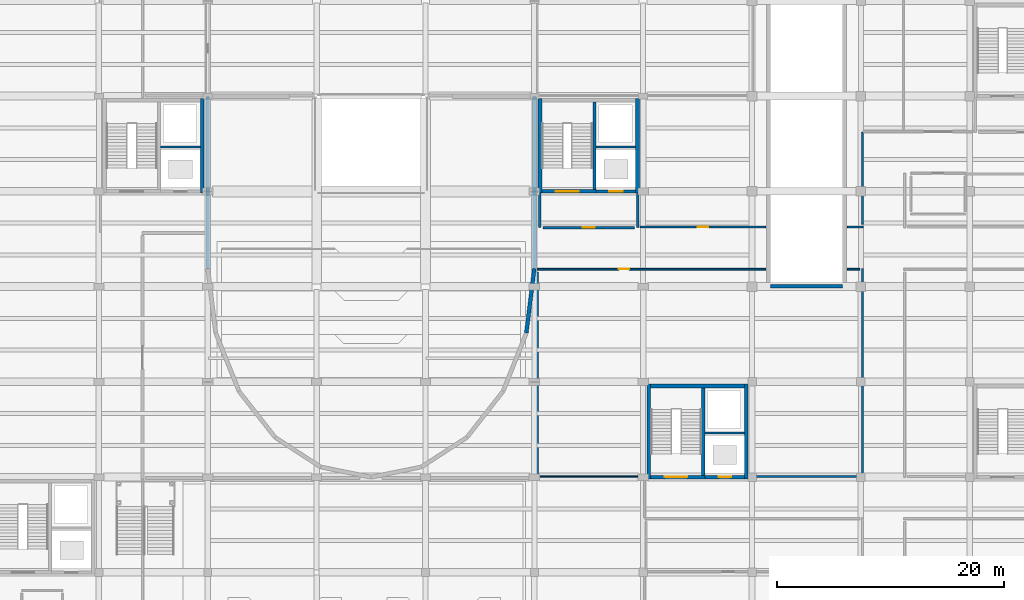
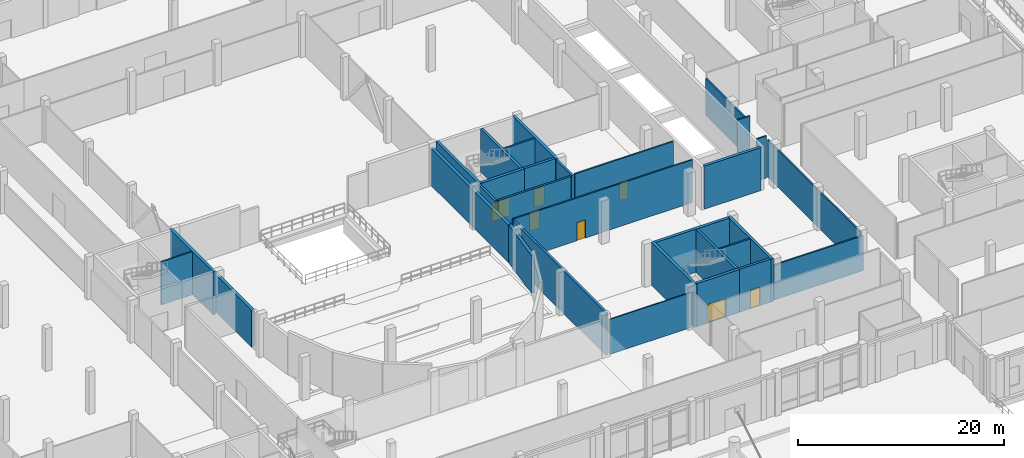
# One storey, part 53 of 71: 31 walls, 7 doors, 7 openings.
"""IFC4 building model written with IfcOpenShell, lengths in metres."""

from ifc_helpers import new_model, si_unit, direction, frame, frame_2d, origin, place, context, subcontext, project, spatial, rectangle, extrude, material, layer, layer_set, type_object, element, fill, save


model = new_model("IFC4")

# Units and contexts
model_context = context("Model", 3, precision=1e-05, world=origin(), true_north=direction((0.0, 1.0)))
body_context = subcontext(model_context, "Body", "Model", "MODEL_VIEW")
ifc_project = project(units=[si_unit("LENGTHUNIT", "METRE"), si_unit("AREAUNIT", "SQUARE_METRE"), si_unit("VOLUMEUNIT", "CUBIC_METRE"), si_unit("PLANEANGLEUNIT", "RADIAN"), si_unit("MASSUNIT", "GRAM", prefix="KILO")], contexts=[model_context])

# Site, building, storey
site_placement = place(None, origin())
site = spatial("IfcSite", under=ifc_project, at=site_placement, CompositionType="ELEMENT")
building_placement = place(site_placement, origin())
building = spatial("IfcBuilding", under=site, at=building_placement, Name="Lornevale Opera House", CompositionType="ELEMENT")
storey_placement = place(building_placement, origin())
storey = spatial("IfcBuildingStorey", under=building, at=storey_placement, Name="L01", CompositionType="ELEMENT", Elevation=0.0)

# Wall
ifc_material_1 = material(Name="Acoustic Mineral-Core Gypsum Partition", Category="gypsum")
ifc_layer_1 = layer(ifc_material_1, 0.25)
ifc_layer_set_1 = layer_set([ifc_layer_1], Name="Acoustic Mineral-Core Gypsum Partition")
wall_type_1 = type_object("IfcWallType", Name="Auditorium Box-in-Box Liner 250", PredefinedType="SOLIDWALL", material=ifc_layer_set_1)
wall_1_placement = place(storey_placement, frame((96.260009765625, 33.60009765625, 0.0), z_axis=(0.0, 0.0, 1.0), x_axis=(0.0, 1.0, 0.0)))
element("IfcWall", 1, at=wall_1_placement, inside=storey, type_object=wall_type_1, Name="L01 Partition WL-INT-0729", PredefinedType="SOLIDWALL", context=body_context, shape_type="SweptSolid", body=[
    extrude(rectangle(XDim=18.08984375, YDim=0.25, at=frame_2d((9.044921875, 0.0))), origin(), (0.0, 0.0, 1.0), 5.070068359375),
])

# Wall, opening, door
ifc_material_2 = material(Name="Concrete 40 MPa (CSA A23.1 C-1)", Category="concrete")
ifc_layer_2 = layer(ifc_material_2, 0.320068359375)
ifc_layer_set_2 = layer_set([ifc_layer_2], Name="Concrete 40 MPa (CSA A23.1 C-1)")
wall_type_2 = type_object("IfcWallType", Name="Core Shear Wall 320", PredefinedType="SHEAR", material=ifc_layer_set_2)
wall_2_placement = place(storey_placement, frame((106.260009765625, 33.60009765625, 0.0), z_axis=(0.0, 0.0, 1.0), x_axis=(1.0, 0.0, 0.0)))
wall_2 = element("IfcWall", 2, at=wall_2_placement, inside=storey, type_object=wall_type_2, Name="South-East Foyer Core Core Shear Wall 320 WL-COR-0050", PredefinedType="SHEAR", context=body_context, shape_type="SweptSolid", body=[
    extrude(rectangle(XDim=4.780029296875, YDim=0.320068359375, at=frame_2d((2.39013671875, 0.0))), origin(), (0.0, 0.0, 1.0), 5.10009765625),
])
opening_1_placement = place(wall_2_placement, frame((1.239990234375, 0.0, 0.0)))
opening_1 = element("IfcOpeningElement", 3, at=opening_1_placement, cuts=wall_2, Name="Opening DR-T12", PredefinedType="OPENING", context=body_context, shape_type="SweptSolid", body=[
    extrude(rectangle(XDim=2.0, YDim=2.199951171875, at=frame_2d((1.0, 1.10009765625))), frame((0.0, 0.169921875, 0.0), z_axis=(0.0, -1.0, 0.0), x_axis=(1.0, 0.0, 0.0)), (0.0, 0.0, 1.0), 0.340087890625),
])
ifc_material_3 = material(Name="Painted Hollow Metal Door Steel", Category="steel")
ifc_layer_3 = layer(ifc_material_3, 2.199951171875)
ifc_layer_set_3 = layer_set([ifc_layer_3], Name="Painted Hollow Metal Door Steel")
door_type_1 = type_object("IfcDoorType", Name="Exit Stair Discharge Pair 2000x2200", OperationType="NOTDEFINED", PredefinedType="DOOR", material=ifc_layer_set_3)
door_1_placement = place(opening_1_placement, origin())
door_1 = element("IfcDoor", 4, at=door_1_placement, inside=storey, type_object=door_type_1, Name="C2 Stair Door L01", OperationType="DOUBLE_SWING_LEFT", OverallHeight=2.199951171875, OverallWidth=2.0, PredefinedType="DOOR", context=body_context, shape_type="SweptSolid", body=[
    extrude(rectangle(XDim=2.0, YDim=2.199951171875, at=frame_2d((1.0, 1.10009765625))), frame((0.0, 0.02490234375, 0.0), z_axis=(0.0, -1.0, 0.0), x_axis=(1.0, 0.0, 0.0)), (0.0, 0.0, 1.0), 0.050048828125),
])
fill(opening_1, door_1)

# Walls
wall_3_placement = place(storey_placement, frame((114.5400390625, 41.639892578125, 0.0), z_axis=(0.0, 0.0, 1.0), x_axis=(-1.0, 0.0, 0.0)))
element("IfcWall", 5, at=wall_3_placement, inside=storey, type_object=wall_type_2, Name="South-East Foyer Core Core Shear Wall 320 WL-COR-0052", PredefinedType="SHEAR", context=body_context, shape_type="SweptSolid", body=[
    extrude(rectangle(XDim=8.280029296875, YDim=0.320068359375, at=frame_2d((4.14013671875, 0.0))), origin(), (0.0, 0.0, 1.0), 5.10009765625),
])
for number, where, z_axis, x_axis, name in (
    (6, (106.10009765625, 41.800048828125, 0.0), (0.0, 0.0, 1.0), (0.0, -1.0, 0.0), "South-East Foyer Core Core Shear Wall 320 WL-COR-0053"),
    (7, (114.699951171875, 33.43994140625, 0.0), (0.0, 0.0, 1.0), (0.0, 1.0, 0.0), "South-East Foyer Core Core Shear Wall 320 WL-COR-0054"),
    (8, (66.699951171875, 58.639892578125, 0.0), (0.0, 0.0, 1.0), (0.0, 1.0, 0.0), "Auditorium West Tier Core Core Shear Wall 320 WL-COR-0166"),
):
    element("IfcWall", number, at=place(storey_placement, frame(where, z_axis=z_axis, x_axis=x_axis)), inside=storey, type_object=wall_type_2, Name=name, PredefinedType="SHEAR", context=body_context, shape_type="SweptSolid", body=[
        extrude(rectangle(XDim=8.360107421875, YDim=0.320068359375, at=frame_2d((4.18017578125, 0.0))), origin(), (0.0, 0.0, 1.0), 5.10009765625),
    ])

# Wall, opening, door
wall_4_placement = place(storey_placement, frame((96.659912109375, 58.800048828125, 0.0), z_axis=(0.0, 0.0, 1.0), x_axis=(1.0, 0.0, 0.0)))
wall_4 = element("IfcWall", 9, at=wall_4_placement, inside=storey, type_object=wall_type_2, Name="Stagehouse Firefighter Core West Core Shear Wall 320 WL-COR-0211", PredefinedType="SHEAR", context=body_context, shape_type="SweptSolid", body=[
    extrude(rectangle(XDim=4.780029296875, YDim=0.320068359375, at=frame_2d((2.39013671875, 0.0))), origin(), (0.0, 0.0, 1.0), 5.10009765625),
])
opening_2_placement = place(wall_4_placement, frame((1.239990234375, 0.0, 0.0)))
opening_2 = element("IfcOpeningElement", 10, at=opening_2_placement, cuts=wall_4, Name="Opening DR-T12", PredefinedType="OPENING", context=body_context, shape_type="SweptSolid", body=[
    extrude(rectangle(XDim=2.0, YDim=2.199951171875, at=frame_2d((1.0, 1.10009765625))), frame((0.0, 0.169921875, 0.0), z_axis=(0.0, -1.0, 0.0), x_axis=(1.0, 0.0, 0.0)), (0.0, 0.0, 1.0), 0.340087890625),
])
door_2_placement = place(opening_2_placement, origin())
door_2 = element("IfcDoor", 11, at=door_2_placement, inside=storey, type_object=door_type_1, Name="C6 Stair Door L01", OperationType="DOUBLE_SWING_LEFT", OverallHeight=2.199951171875, OverallWidth=2.0, PredefinedType="DOOR", context=body_context, shape_type="SweptSolid", body=[
    extrude(rectangle(XDim=2.0, YDim=2.199951171875, at=frame_2d((1.0, 1.10009765625))), frame((0.0, 0.02490234375, 0.0), z_axis=(0.0, -1.0, 0.0), x_axis=(1.0, 0.0, 0.0)), (0.0, 0.0, 1.0), 0.050048828125),
])
fill(opening_2, door_2)

# Walls
for number, where, z_axis, x_axis, name in (
    (12, (96.5, 67.0, 0.0), (0.0, 0.0, 1.0), (0.0, -1.0, 0.0), "Stagehouse Firefighter Core West Core Shear Wall 320 WL-COR-0214"),
    (13, (105.10009765625, 58.639892578125, 0.0), (0.0, 0.0, 1.0), (0.0, 1.0, 0.0), "Stagehouse Firefighter Core West Core Shear Wall 320 WL-COR-0215"),
):
    element("IfcWall", number, at=place(storey_placement, frame(where, z_axis=z_axis, x_axis=x_axis)), inside=storey, type_object=wall_type_2, Name=name, PredefinedType="SHEAR", context=body_context, shape_type="SweptSolid", body=[
        extrude(rectangle(XDim=8.360107421875, YDim=0.320068359375, at=frame_2d((4.18017578125, 0.0))), origin(), (0.0, 0.0, 1.0), 5.10009765625),
    ])
wall_5_placement = place(storey_placement, frame((116.820068359375, 50.449951171875, 0.0), z_axis=(0.0, 0.0, 1.0), x_axis=(1.0, 0.0, 0.0)))
element("IfcWall", 14, at=wall_5_placement, inside=storey, type_object=wall_type_2, Name="Vehicle Ramp Headwall L01 0365", PredefinedType="SHEAR", context=body_context, shape_type="SweptSolid", body=[
    extrude(rectangle(XDim=6.35986328125, YDim=0.320068359375, at=frame_2d((3.179931640625, 0.0))), origin(), (0.0, 0.0, 1.0), 5.10009765625),
])
ifc_layer_4 = layer(ifc_material_1, 0.1650390625)
ifc_layer_set_4 = layer_set([ifc_layer_4], Name="Acoustic Mineral-Core Gypsum Partition")
wall_type_3 = type_object("IfcWallType", Name="Corridor Rated Partition 165", PredefinedType="PARTITIONING", material=ifc_layer_set_4)
wall_6_placement = place(storey_placement, frame((114.949951171875, 33.659912109375, 0.0), z_axis=(0.0, 0.0, 1.0), x_axis=(1.0, 0.0, 0.0)))
element("IfcWall", 15, at=wall_6_placement, inside=storey, type_object=wall_type_3, Name="L01 Partition WL-INT-0701", PredefinedType="PARTITIONING", context=body_context, shape_type="SweptSolid", body=[
    extrude(rectangle(XDim=10.050048828125, YDim=0.1650390625, at=frame_2d((5.02490234375, 0.0))), origin(), (0.0, 0.0, 1.0), 4.14990234375),
])
wall_7_placement = place(storey_placement, frame((124.93994140625, 33.909912109375, 0.0), z_axis=(0.0, 0.0, 1.0), x_axis=(0.0, 1.0, 0.0)))
element("IfcWall", 16, at=wall_7_placement, inside=storey, type_object=wall_type_3, Name="L01 Partition WL-INT-0702", PredefinedType="PARTITIONING", context=body_context, shape_type="SweptSolid", body=[
    extrude(rectangle(XDim=18.090087890625, YDim=0.1650390625, at=frame_2d((9.044921875, 0.0))), origin(), (0.0, 0.0, 1.0), 4.39990234375),
])
wall_8_placement = place(storey_placement, frame((123.60009765625, 51.93994140625, 0.0), z_axis=(0.0, 0.0, 1.0), x_axis=(1.0, 0.0, 0.0)))
element("IfcWall", 17, at=wall_8_placement, inside=storey, type_object=wall_type_3, Name="L01 Partition WL-INT-0703", PredefinedType="PARTITIONING", context=body_context, shape_type="SweptSolid", body=[
    extrude(rectangle(XDim=1.08984375, YDim=0.1650390625, at=frame_2d((0.544921875, 0.0))), origin(), (0.0, 0.0, 1.0), 4.989990234375),
])
wall_9_placement = place(storey_placement, frame((123.60009765625, 55.659912109375, 0.0), z_axis=(0.0, 0.0, 1.0), x_axis=(1.0, 0.0, 0.0)))
element("IfcWall", 18, at=wall_9_placement, inside=storey, type_object=wall_type_3, Name="L01 Partition WL-INT-0705", PredefinedType="PARTITIONING", context=body_context, shape_type="SweptSolid", body=[
    extrude(rectangle(XDim=1.39990234375, YDim=0.1650390625, at=frame_2d((0.699951171875, 0.0))), origin(), (0.0, 0.0, 1.0), 4.989990234375),
])
wall_10_placement = place(storey_placement, frame((124.93994140625, 55.909912109375, 0.0), z_axis=(0.0, 0.0, 1.0), x_axis=(0.0, 1.0, 0.0)))
element("IfcWall", 19, at=wall_10_placement, inside=storey, type_object=wall_type_3, Name="L01 Partition WL-INT-0706", PredefinedType="PARTITIONING", context=body_context, shape_type="SweptSolid", body=[
    extrude(rectangle(XDim=8.090087890625, YDim=0.1650390625, at=frame_2d((4.044921875, 0.0))), origin(), (0.0, 0.0, 1.0), 4.39990234375),
])

# Wall, opening, door
wall_11_placement = place(storey_placement, frame((96.243896484375, 51.93994140625, 0.0), z_axis=(0.0, 0.0, 1.0), x_axis=(1.0, 0.0, 0.0)))
wall_11 = element("IfcWall", 20, at=wall_11_placement, inside=storey, type_object=wall_type_3, Name="L01 Partition WL-INT-0722", PredefinedType="PARTITIONING", context=body_context, shape_type="SweptSolid", body=[
    extrude(rectangle(XDim=20.156005859375, YDim=0.1650390625, at=frame_2d((10.078125, 0.0))), origin(), (0.0, 0.0, 1.0), 5.070068359375),
])
opening_3_placement = place(wall_11_placement, frame((7.18408203125, 0.0, 0.0)))
opening_3 = element("IfcOpeningElement", 21, at=opening_3_placement, cuts=wall_11, Name="Opening DR-T19", PredefinedType="OPENING", context=body_context, shape_type="SweptSolid", body=[
    extrude(rectangle(XDim=0.949951171875, YDim=2.14990234375, at=frame_2d((0.47509765625, 1.074951171875))), frame((0.0, 0.092529296875, 0.0), z_axis=(0.0, -1.0, 0.0), x_axis=(1.0, 0.0, 0.0)), (0.0, 0.0, 1.0), 0.18505859375),
])
ifc_material_4 = material(Name="White Oak Acoustic Panelling", Category="wood")
ifc_layer_5 = layer(ifc_material_4, 2.14990234375)
ifc_layer_set_5 = layer_set([ifc_layer_5], Name="White Oak Acoustic Panelling")
door_type_2 = type_object("IfcDoorType", Name="Soloist Dressing Door L 950x2150", OperationType="NOTDEFINED", PredefinedType="DOOR", material=ifc_layer_set_5)
door_3_placement = place(opening_3_placement, origin())
door_3 = element("IfcDoor", 22, at=door_3_placement, inside=storey, type_object=door_type_2, Name="Winter-Garden Exhibition Foyer Door", OperationType="SINGLE_SWING_LEFT", OverallHeight=2.14990234375, OverallWidth=0.949951171875, PredefinedType="DOOR", context=body_context, shape_type="SweptSolid", body=[
    extrude(rectangle(XDim=0.949951171875, YDim=2.14990234375, at=frame_2d((0.47509765625, 1.074951171875))), frame((0.0, 0.02490234375, 0.0), z_axis=(0.0, -1.0, 0.0), x_axis=(1.0, 0.0, 0.0)), (0.0, 0.0, 1.0), 0.050048828125),
])
fill(opening_3, door_3)

wall_12_placement = place(storey_placement, frame((105.35009765625, 55.659912109375, 0.0), z_axis=(0.0, 0.0, 1.0), x_axis=(1.0, 0.0, 0.0)))
wall_12 = element("IfcWall", 23, at=wall_12_placement, inside=storey, type_object=wall_type_3, Name="L01 Partition WL-INT-0723", PredefinedType="PARTITIONING", context=body_context, shape_type="SweptSolid", body=[
    extrude(rectangle(XDim=11.0498046875, YDim=0.1650390625, at=frame_2d((5.52490234375, 0.0))), origin(), (0.0, 0.0, 1.0), 4.989990234375),
])
opening_4_placement = place(wall_12_placement, frame((5.050048828125, 0.0, 0.0)))
opening_4 = element("IfcOpeningElement", 24, at=opening_4_placement, cuts=wall_12, Name="Opening DR-T20", PredefinedType="OPENING", context=body_context, shape_type="SweptSolid", body=[
    extrude(rectangle(XDim=0.949951171875, YDim=2.14990234375, at=frame_2d((0.47509765625, 1.074951171875))), frame((0.0, 0.092529296875, 0.0), z_axis=(0.0, -1.0, 0.0), x_axis=(1.0, 0.0, 0.0)), (0.0, 0.0, 1.0), 0.18505859375),
])
ifc_layer_6 = layer(ifc_material_4, 2.14990234375)
ifc_layer_set_6 = layer_set([ifc_layer_6], Name="White Oak Acoustic Panelling")
door_type_3 = type_object("IfcDoorType", Name="Soloist Dressing Door R 950x2150", OperationType="NOTDEFINED", PredefinedType="DOOR", material=ifc_layer_set_6)
door_4_placement = place(opening_4_placement, origin())
door_4 = element("IfcDoor", 25, at=door_4_placement, inside=storey, type_object=door_type_3, Name="Winter-Garden Exhibition Foyer Door", OperationType="SINGLE_SWING_RIGHT", OverallHeight=2.14990234375, OverallWidth=0.949951171875, PredefinedType="DOOR", context=body_context, shape_type="SweptSolid", body=[
    extrude(rectangle(XDim=0.949951171875, YDim=2.14990234375, at=frame_2d((0.47509765625, 1.074951171875))), frame((0.0, 0.02490234375, 0.0), z_axis=(0.0, -1.0, 0.0), x_axis=(1.0, 0.0, 0.0)), (0.0, 0.0, 1.0), 0.050048828125),
])
fill(opening_4, door_4)

# Wall
ifc_layer_7 = layer(ifc_material_1, 0.125)
ifc_layer_set_7 = layer_set([ifc_layer_7], Name="Acoustic Mineral-Core Gypsum Partition")
wall_type_4 = type_object("IfcWallType", Name="Dressing Suite Partition 125", PredefinedType="PARTITIONING", material=ifc_layer_set_7)
wall_13_placement = place(storey_placement, frame((96.510009765625, 33.659912109375, 0.0), z_axis=(0.0, 0.0, 1.0), x_axis=(1.0, 0.0, 0.0)))
element("IfcWall", 26, at=wall_13_placement, inside=storey, type_object=wall_type_4, Name="L01 Partition WL-INT-0743", PredefinedType="PARTITIONING", context=body_context, shape_type="SweptSolid", body=[
    extrude(rectangle(XDim=9.22998046875, YDim=0.125, at=frame_2d((4.614990234375, 0.0))), origin(), (0.0, 0.0, 1.0), 4.14990234375),
])

# Wall, opening, door
ifc_layer_8 = layer(ifc_material_2, 0.280029296875)
ifc_layer_set_8 = layer_set([ifc_layer_8], Name="Concrete 40 MPa (CSA A23.1 C-1)")
wall_type_5 = type_object("IfcWallType", Name="Elevator Shaft Wall 280", PredefinedType="SHEAR", material=ifc_layer_set_8)
wall_14_placement = place(storey_placement, frame((111.0400390625, 33.60009765625, 0.0), z_axis=(0.0, 0.0, 1.0), x_axis=(1.0, 0.0, 0.0)))
wall_14 = element("IfcWall", 27, at=wall_14_placement, inside=storey, type_object=wall_type_5, Name="South-East Foyer Core Elevator Shaft Wall 280 WL-COR-0051", PredefinedType="SHEAR", context=body_context, shape_type="SweptSolid", body=[
    extrude(rectangle(XDim=3.5, YDim=0.280029296875, at=frame_2d((1.75, 0.0))), origin(), (0.0, 0.0, 1.0), 5.10009765625),
])
opening_5_placement = place(wall_14_placement, frame((1.2099609375, 0.0, 0.0)))
opening_5 = element("IfcOpeningElement", 28, at=opening_5_placement, cuts=wall_14, Name="Opening DR-T25", PredefinedType="OPENING", context=body_context, shape_type="SweptSolid", body=[
    extrude(rectangle(XDim=1.10009765625, YDim=2.199951171875, at=frame_2d((0.550048828125, 1.10009765625))), frame((0.0, 0.14990234375, 0.0), z_axis=(0.0, -1.0, 0.0), x_axis=(1.0, 0.0, 0.0)), (0.0, 0.0, 1.0), 0.300048828125),
])
ifc_layer_9 = layer(ifc_material_3, 2.199951171875)
ifc_layer_set_9 = layer_set([ifc_layer_9], Name="Painted Hollow Metal Door Steel")
door_type_4 = type_object("IfcDoorType", Name="Passenger Lift Landing Door 1100x2200", OperationType="NOTDEFINED", PredefinedType="DOOR", material=ifc_layer_set_9)
door_5_placement = place(opening_5_placement, origin())
door_5 = element("IfcDoor", 29, at=door_5_placement, inside=storey, type_object=door_type_4, Name="L-P2 Landing Door L01", OperationType="SLIDING_TO_LEFT", OverallHeight=2.199951171875, OverallWidth=1.10009765625, PredefinedType="DOOR", context=body_context, shape_type="SweptSolid", body=[
    extrude(rectangle(XDim=1.10009765625, YDim=2.199951171875, at=frame_2d((0.550048828125, 1.10009765625))), frame((0.0, 0.02490234375, 0.0), z_axis=(0.0, -1.0, 0.0), x_axis=(1.0, 0.0, 0.0)), (0.0, 0.0, 1.0), 0.050048828125),
])
fill(opening_5, door_5)

# Wall
wall_15_placement = place(storey_placement, frame((110.89990234375, 33.760009765625, 0.0), z_axis=(0.0, 0.0, 1.0), x_axis=(0.0, 1.0, 0.0)))
element("IfcWall", 30, at=wall_15_placement, inside=storey, type_object=wall_type_5, Name="South-East Foyer Core Elevator Shaft Wall 280 WL-COR-0055", PredefinedType="SHEAR", context=body_context, shape_type="SweptSolid", body=[
    extrude(rectangle(XDim=7.719970703125, YDim=0.280029296875, at=frame_2d((3.85986328125, 0.0))), origin(), (0.0, 0.0, 1.0), 5.10009765625),
])

# Wall, opening, door
wall_16_placement = place(storey_placement, frame((101.43994140625, 58.800048828125, 0.0), z_axis=(0.0, 0.0, 1.0), x_axis=(1.0, 0.0, 0.0)))
wall_16 = element("IfcWall", 31, at=wall_16_placement, inside=storey, type_object=wall_type_5, Name="Stagehouse Firefighter Core West Elevator Shaft Wall 280 WL-COR-0212", PredefinedType="SHEAR", context=body_context, shape_type="SweptSolid", body=[
    extrude(rectangle(XDim=3.5, YDim=0.280029296875, at=frame_2d((1.75, 0.0))), origin(), (0.0, 0.0, 1.0), 5.10009765625),
])
opening_6_placement = place(wall_16_placement, frame((1.159912109375, 0.0, 0.0)))
opening_6 = element("IfcOpeningElement", 32, at=opening_6_placement, cuts=wall_16, Name="Opening DR-T26", PredefinedType="OPENING", context=body_context, shape_type="SweptSolid", body=[
    extrude(rectangle(XDim=1.199951171875, YDim=2.199951171875, at=frame_2d((0.60009765625, 1.10009765625))), frame((0.0, 0.14990234375, 0.0), z_axis=(0.0, -1.0, 0.0), x_axis=(1.0, 0.0, 0.0)), (0.0, 0.0, 1.0), 0.300048828125),
])
ifc_layer_10 = layer(ifc_material_3, 2.199951171875)
ifc_layer_set_10 = layer_set([ifc_layer_10], Name="Painted Hollow Metal Door Steel")
door_type_5 = type_object("IfcDoorType", Name="Firefighter Lift Landing Door 1200x2200", OperationType="NOTDEFINED", PredefinedType="DOOR", material=ifc_layer_set_10)
door_6_placement = place(opening_6_placement, origin())
door_6 = element("IfcDoor", 33, at=door_6_placement, inside=storey, type_object=door_type_5, Name="L-FF1 Landing Door L01", OperationType="SLIDING_TO_RIGHT", OverallHeight=2.199951171875, OverallWidth=1.199951171875, PredefinedType="DOOR", context=body_context, shape_type="SweptSolid", body=[
    extrude(rectangle(XDim=1.199951171875, YDim=2.199951171875, at=frame_2d((0.60009765625, 1.10009765625))), frame((0.0, 0.02490234375, 0.0), z_axis=(0.0, -1.0, 0.0), x_axis=(1.0, 0.0, 0.0)), (0.0, 0.0, 1.0), 0.050048828125),
])
fill(opening_6, door_6)

# Walls
wall_17_placement = place(storey_placement, frame((101.300048828125, 58.9599609375, 0.0), z_axis=(0.0, 0.0, 1.0), x_axis=(0.0, 1.0, 0.0)))
element("IfcWall", 34, at=wall_17_placement, inside=storey, type_object=wall_type_5, Name="Stagehouse Firefighter Core West Elevator Shaft Wall 280 WL-COR-0216", PredefinedType="SHEAR", context=body_context, shape_type="SweptSolid", body=[
    extrude(rectangle(XDim=7.719970703125, YDim=0.280029296875, at=frame_2d((3.85986328125, 0.0))), origin(), (0.0, 0.0, 1.0), 5.10009765625),
])
ifc_material_5 = material(Name="Concrete 35 MPa (CSA A23.1 N)", Category="concrete")
ifc_layer_11 = layer(ifc_material_5, 0.219970703125)
ifc_layer_set_11 = layer_set([ifc_layer_11], Name="Concrete 35 MPa (CSA A23.1 N)")
wall_type_6 = type_object("IfcWallType", Name="Firefighter Vestibule Wall 220", PredefinedType="SOLIDWALL", material=ifc_layer_set_11)
for number, where, z_axis, x_axis, name in (
    (35, (96.5, 55.60009765625, 0.0), (0.0, 0.0, 1.0), (0.0, 1.0, 0.0), "C6 Vestibule West Wall WL-INT-0388"),
    (36, (105.10009765625, 55.60009765625, 0.0), (0.0, 0.0, 1.0), (0.0, 1.0, 0.0), "C6 Vestibule East Wall WL-INT-0389"),
):
    element("IfcWall", number, at=place(storey_placement, frame(where, z_axis=z_axis, x_axis=x_axis)), inside=storey, type_object=wall_type_6, Name=name, PredefinedType="SOLIDWALL", context=body_context, shape_type="SweptSolid", body=[
        extrude(rectangle(XDim=3.039794921875, YDim=0.219970703125, at=frame_2d((1.52001953125, 0.0))), origin(), (0.0, 0.0, 1.0), 4.919921875),
    ])

# Wall, opening, door
wall_18_placement = place(storey_placement, frame((96.75, 55.60009765625, 0.0), z_axis=(0.0, 0.0, 1.0), x_axis=(1.0, 0.0, 0.0)))
wall_18 = element("IfcWall", 37, at=wall_18_placement, inside=storey, type_object=wall_type_6, Name="C6 Vestibule South Wall WL-INT-0390", PredefinedType="SOLIDWALL", context=body_context, shape_type="SweptSolid", body=[
    extrude(rectangle(XDim=8.10009765625, YDim=0.219970703125, at=frame_2d((4.050048828125, 0.0))), origin(), (0.0, 0.0, 1.0), 4.919921875),
])
opening_7_placement = place(wall_18_placement, frame((3.5, 0.0, 0.0)))
opening_7 = element("IfcOpeningElement", 38, at=opening_7_placement, cuts=wall_18, Name="Opening DR-T13", PredefinedType="OPENING", context=body_context, shape_type="SweptSolid", body=[
    extrude(rectangle(XDim=1.10009765625, YDim=2.199951171875, at=frame_2d((0.550048828125, 1.10009765625))), frame((0.0, 0.119873046875, 0.0), z_axis=(0.0, -1.0, 0.0), x_axis=(1.0, 0.0, 0.0)), (0.0, 0.0, 1.0), 0.239990234375),
])
ifc_layer_12 = layer(ifc_material_3, 2.199951171875)
ifc_layer_set_12 = layer_set([ifc_layer_12], Name="Painted Hollow Metal Door Steel")
door_type_6 = type_object("IfcDoorType", Name="Firefighter Vestibule Door 1100x2200", OperationType="NOTDEFINED", PredefinedType="DOOR", material=ifc_layer_set_12)
door_7_placement = place(opening_7_placement, origin())
door_7 = element("IfcDoor", 39, at=door_7_placement, inside=storey, type_object=door_type_6, Name="C6 Firefighter Vestibule Door L01", OperationType="SINGLE_SWING_LEFT", OverallHeight=2.199951171875, OverallWidth=1.10009765625, PredefinedType="DOOR", context=body_context, shape_type="SweptSolid", body=[
    extrude(rectangle(XDim=1.10009765625, YDim=2.199951171875, at=frame_2d((0.550048828125, 1.10009765625))), frame((0.0, 0.02490234375, 0.0), z_axis=(0.0, -1.0, 0.0), x_axis=(1.0, 0.0, 0.0)), (0.0, 0.0, 1.0), 0.050048828125),
])
fill(opening_7, door_7)

# Walls
ifc_material_6 = material(Name="Credit Valley Sandstone Ashlar Masonry (25 MPa)", Category="masonry")
ifc_layer_13 = layer(ifc_material_6, 0.340087890625)
ifc_layer_set_13 = layer_set([ifc_layer_13], Name="Credit Valley Sandstone Ashlar Masonry (25 MPa)")
wall_type_7 = type_object("IfcWallType", Name="Polychrome Drum Cavity Wall 340", PredefinedType="SOLIDWALL", material=ifc_layer_set_13)
wall_19_placement = place(storey_placement, frame((67.199951171875, 67.169921875, 0.0), z_axis=(0.0, 0.0, 1.0), x_axis=(0.0, -1.0, 0.0)))
element("IfcWall", 40, at=wall_19_placement, inside=storey, type_object=wall_type_7, Name="Auditorium Horseshoe Drum Wall WL-DRM-0324", PredefinedType="SOLIDWALL", context=body_context, shape_type="SweptSolid", body=[
    extrude(rectangle(XDim=15.157958984375, YDim=0.340087890625, at=frame_2d((7.5791015625, 0.0))), origin(), (0.0, 0.0, 1.0), 4.39990234375),
])
wall_20_placement = place(storey_placement, frame((95.29638671875, 46.325927734375, 0.0), z_axis=(0.0, 0.0, 1.0), x_axis=(0.123065633968, 0.992398533723, 0.0)))
element("IfcWall", 41, at=wall_20_placement, inside=storey, type_object=wall_type_7, Name="Auditorium Horseshoe Drum Wall WL-DRM-0334", PredefinedType="SOLIDWALL", context=body_context, shape_type="SweptSolid", body=[
    extrude(rectangle(XDim=5.70556640625, YDim=0.340087890625, at=frame_2d((2.852783203125, 0.0))), origin(), (0.0, 0.0, 1.0), 4.5),
])
wall_21_placement = place(storey_placement, frame((96.0, 52.011962890625, 0.0), z_axis=(0.0, 0.0, 1.0), x_axis=(0.0, 1.0, 0.0)))
element("IfcWall", 42, at=wall_21_placement, inside=storey, type_object=wall_type_7, Name="Auditorium Horseshoe Drum Wall WL-DRM-0335", PredefinedType="SOLIDWALL", context=body_context, shape_type="SweptSolid", body=[
    extrude(rectangle(XDim=15.157958984375, YDim=0.340087890625, at=frame_2d((7.5791015625, 0.0))), origin(), (0.0, 0.0, 1.0), 4.39990234375),
])
ifc_material_7 = material(Name="Moisture-Resistant Ceramic & Gypsum Partition", Category="gypsum")
ifc_layer_14 = layer(ifc_material_7, 0.179931640625)
ifc_layer_set_14 = layer_set([ifc_layer_14], Name="Moisture-Resistant Ceramic & Gypsum Partition")
wall_type_8 = type_object("IfcWallType", Name="Riser Shaft Wall 180", PredefinedType="SOLIDWALL", material=ifc_layer_set_14)
for number, where, z_axis, x_axis, name in (
    (43, (111.0400390625, 37.5, 0.0), (0.0, 0.0, 1.0), (1.0, 0.0, 0.0), "South-East Foyer Core Riser Shaft Wall 180 WL-COR-0056"),
    (44, (63.0400390625, 62.699951171875, 0.0), (0.0, 0.0, 1.0), (1.0, 0.0, 0.0), "Auditorium West Tier Core Riser Shaft Wall 180 WL-COR-0168"),
    (45, (101.43994140625, 62.699951171875, 0.0), (0.0, 0.0, 1.0), (1.0, 0.0, 0.0), "Stagehouse Firefighter Core West Riser Shaft Wall 180 WL-COR-0217"),
):
    element("IfcWall", number, at=place(storey_placement, frame(where, z_axis=z_axis, x_axis=x_axis)), inside=storey, type_object=wall_type_8, Name=name, PredefinedType="SOLIDWALL", context=body_context, shape_type="SweptSolid", body=[
        extrude(rectangle(XDim=3.5, YDim=0.179931640625, at=frame_2d((1.75, 0.0))), origin(), (0.0, 0.0, 1.0), 5.10009765625),
    ])

save(model, "model.ifc")
